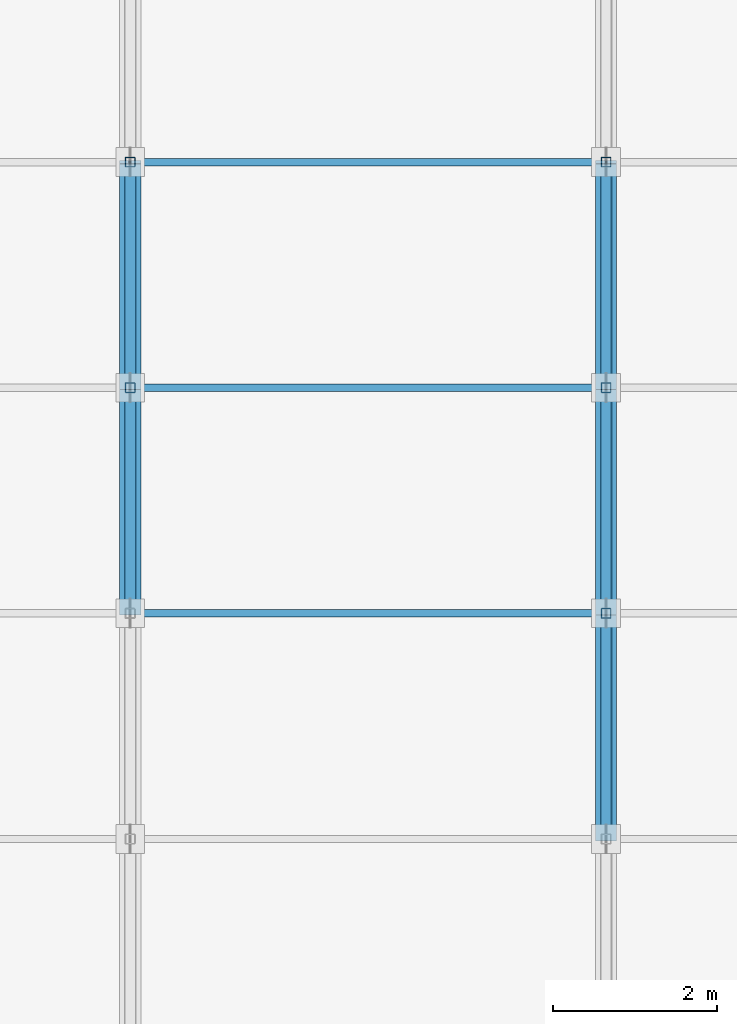
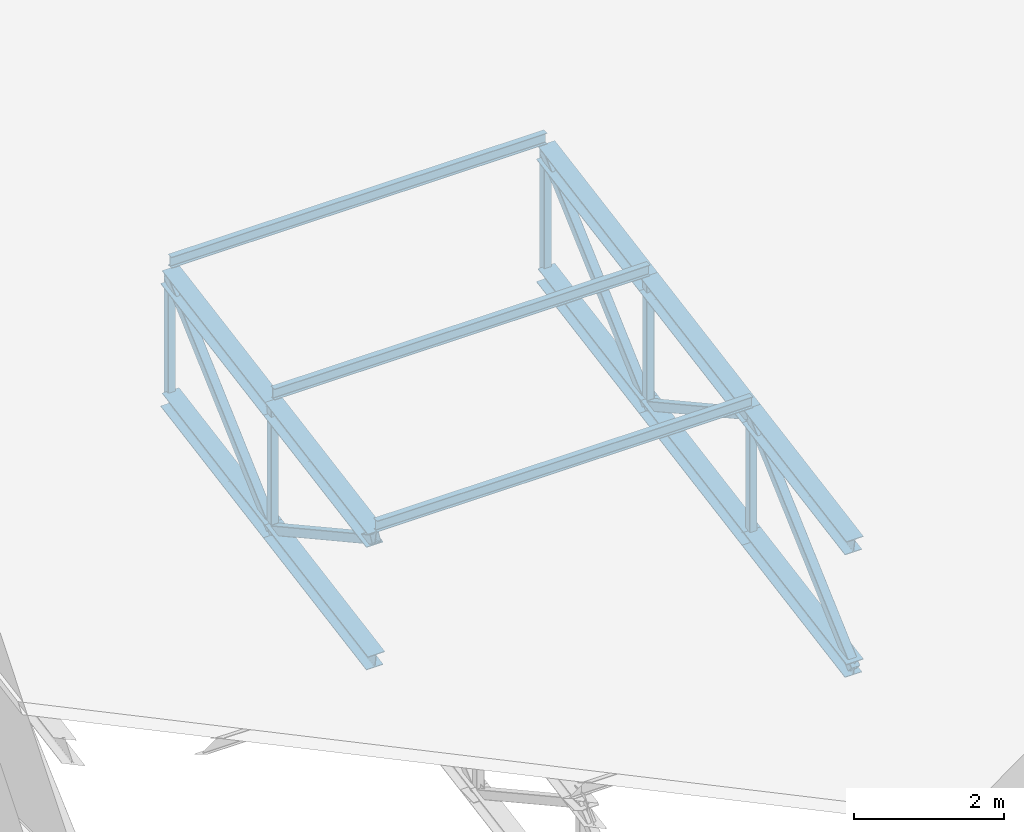
# One storey, part 16 of 132: 23 members.
"""IFC4 building model written with IfcOpenShell, lengths in metres."""

from ifc_helpers import new_model, si_unit, direction, frame, origin, origin_2d, place, context, subcontext, project, spatial, hollow_rectangle, i_section, extrude, material, material_profile, profile_set, type_object, element, save


model = new_model("IFC4")

# Units and contexts
model_context = context("Model", 3, precision=1e-05, world=origin(), true_north=direction((0.0, 1.0)))
body_context = subcontext(model_context, "Body", "Model", "MODEL_VIEW")
ifc_project = project(units=[si_unit("LENGTHUNIT", "METRE"), si_unit("AREAUNIT", "SQUARE_METRE"), si_unit("VOLUMEUNIT", "CUBIC_METRE"), si_unit("PLANEANGLEUNIT", "RADIAN"), si_unit("MASSUNIT", "GRAM", prefix="KILO")], contexts=[model_context])

# Site, building, storey
site_placement = place(None, origin())
site = spatial("IfcSite", under=ifc_project, at=site_placement, CompositionType="ELEMENT")
building_placement = place(site_placement, origin())
building = spatial("IfcBuilding", under=site, at=building_placement, Name="Lunette Opera House", CompositionType="ELEMENT")
storey_placement = place(building_placement, frame((0.0, 0.0, 17.0)))
storey = spatial("IfcBuildingStorey", under=building, at=storey_placement, Name="L03", CompositionType="ELEMENT", Elevation=17.0)

# Members
ifc_material_1 = material(Name="Steel S355", Category="steel")
ifc_material_profile_1 = material_profile(ifc_material_1, i_section(OverallWidth=0.260009765625, OverallDepth=0.25, WebThickness=0.007568359375, FlangeThickness=0.012451171875, FilletRadius=0.02392578125, at=origin_2d()), Name="HEA 260")
ifc_profile_set_1 = profile_set([ifc_material_profile_1], Name="Steel S355")
member_type_1 = type_object("IfcMemberType", Name="CHORD HEA 260", PredefinedType="CHORD", material=ifc_profile_set_1)
for number, where, z_axis, x_axis, name in (
    (1, (16.199951171875, 74.25, 1.75), (0.0, 0.984794998673, 0.173720495593), (-1.0, 0.0, 0.0), "mem-RW-L03-RW-TR02-TC4"),
    (2, (16.199951171875, 74.25, -0.25), (0.0, 0.984794998673, 0.173720495593), (-1.0, 0.0, 0.0), "mem-RW-L03-RW-TR02-BC4"),
):
    element("IfcMember", number, at=place(storey_placement, frame(where, z_axis=z_axis, x_axis=x_axis)), inside=storey, type_object=member_type_1, Name=name, PredefinedType="CHORD", context=body_context, shape_type="SweptSolid", body=[
        extrude(i_section(OverallWidth=0.260009765625, OverallDepth=0.25, WebThickness=0.007568359375, FlangeThickness=0.012451171875, FilletRadius=0.02392578125, at=origin_2d()), origin(), (0.0, 0.0, 1.0), 2.79248046875),
    ])
for number, where, z_axis, x_axis, name in (
    (3, (16.199951171875, 77.0, 2.235107421875), (0.0, 0.98486969904, 0.173296497115), (-1.0, 0.0, 0.0), "mem-RW-L03-RW-TR02-TC5"),
    (4, (16.199951171875, 77.0, 0.235107421875), (0.0, 0.98486969904, 0.173296497115), (-1.0, 0.0, 0.0), "mem-RW-L03-RW-TR02-BC5"),
):
    element("IfcMember", number, at=place(storey_placement, frame(where, z_axis=z_axis, x_axis=x_axis)), inside=storey, type_object=member_type_1, Name=name, PredefinedType="CHORD", context=body_context, shape_type="SweptSolid", body=[
        extrude(i_section(OverallWidth=0.260009765625, OverallDepth=0.25, WebThickness=0.007568359375, FlangeThickness=0.012451171875, FilletRadius=0.02392578125, at=origin_2d()), origin(), (0.0, 0.0, 1.0), 2.792236328125),
    ])
for number, where, z_axis, x_axis, name in (
    (5, (22.0, 71.5, 1.264892578125), (0.0, 0.984794998673, 0.173720495593), (-1.0, 0.0, 0.0), "mem-RW-L03-RW-TR03-TC3"),
    (6, (22.0, 71.5, -0.735107421875), (0.0, 0.984794998673, 0.173720495593), (-1.0, 0.0, 0.0), "mem-RW-L03-RW-TR03-BC3"),
    (7, (22.0, 74.25, 1.75), (0.0, 0.984794998673, 0.173720495593), (-1.0, 0.0, 0.0), "mem-RW-L03-RW-TR03-TC4"),
    (8, (22.0, 74.25, -0.25), (0.0, 0.984794998673, 0.173720495593), (-1.0, 0.0, 0.0), "mem-RW-L03-RW-TR03-BC4"),
):
    element("IfcMember", number, at=place(storey_placement, frame(where, z_axis=z_axis, x_axis=x_axis)), inside=storey, type_object=member_type_1, Name=name, PredefinedType="CHORD", context=body_context, shape_type="SweptSolid", body=[
        extrude(i_section(OverallWidth=0.260009765625, OverallDepth=0.25, WebThickness=0.007568359375, FlangeThickness=0.012451171875, FilletRadius=0.02392578125, at=origin_2d()), origin(), (0.0, 0.0, 1.0), 2.79248046875),
    ])
for number, where, z_axis, x_axis, name in (
    (9, (22.0, 77.0, 2.235107421875), (0.0, 0.98486969904, 0.173296497115), (-1.0, 0.0, 0.0), "mem-RW-L03-RW-TR03-TC5"),
    (10, (22.0, 77.0, 0.235107421875), (0.0, 0.98486969904, 0.173296497115), (-1.0, 0.0, 0.0), "mem-RW-L03-RW-TR03-BC5"),
):
    element("IfcMember", number, at=place(storey_placement, frame(where, z_axis=z_axis, x_axis=x_axis)), inside=storey, type_object=member_type_1, Name=name, PredefinedType="CHORD", context=body_context, shape_type="SweptSolid", body=[
        extrude(i_section(OverallWidth=0.260009765625, OverallDepth=0.25, WebThickness=0.007568359375, FlangeThickness=0.012451171875, FilletRadius=0.02392578125, at=origin_2d()), origin(), (0.0, 0.0, 1.0), 2.792236328125),
    ])
ifc_material_2 = material(Name="Steel S355", Category="steel")
ifc_material_profile_2 = material_profile(ifc_material_2, hollow_rectangle(XDim=0.139892578125, YDim=0.139892578125, WallThickness=0.006103515625, InnerFilletRadius=0.006103515625, OuterFilletRadius=0.011962890625, at=origin_2d()), Name="RHS 140X140X6")
ifc_profile_set_2 = profile_set([ifc_material_profile_2], Name="Steel S355")
member_type_2 = type_object("IfcMemberType", Name="DIAGONAL RHS 140X140X6", PredefinedType="BRACE", material=ifc_profile_set_2)
member_1_placement = place(storey_placement, frame((16.199951171875, 74.25, 1.75), z_axis=(0.0, 0.875893925299, -0.482503711513), x_axis=(-1.0, 0.0, 0.0)))
element("IfcMember", 11, at=member_1_placement, inside=storey, type_object=member_type_2, Name="mem-RW-L03-RW-TR02-TD4", PredefinedType="BRACE", context=body_context, shape_type="SweptSolid", body=[
    extrude(hollow_rectangle(XDim=0.139892578125, YDim=0.139892578125, WallThickness=0.006103515625, InnerFilletRadius=0.006103515625, OuterFilletRadius=0.011962890625, at=origin_2d()), origin(), (0.0, 0.0, 1.0), 3.1396484375),
])
member_2_placement = place(storey_placement, frame((16.199951171875, 77.0, 0.235107421875), z_axis=(0.0, 0.742100528467, 0.670288598776), x_axis=(-1.0, 0.0, 0.0)))
element("IfcMember", 12, at=member_2_placement, inside=storey, type_object=member_type_2, Name="mem-RW-L03-RW-TR02-TD5", PredefinedType="BRACE", context=body_context, shape_type="SweptSolid", body=[
    extrude(hollow_rectangle(XDim=0.139892578125, YDim=0.139892578125, WallThickness=0.006103515625, InnerFilletRadius=0.006103515625, OuterFilletRadius=0.011962890625, at=origin_2d()), origin(), (0.0, 0.0, 1.0), 3.705810546875),
])
member_3_placement = place(storey_placement, frame((22.0, 71.5, -0.735107421875), z_axis=(0.0, 0.741936685601, 0.670469950527), x_axis=(-1.0, 0.0, 0.0)))
element("IfcMember", 13, at=member_3_placement, inside=storey, type_object=member_type_2, Name="mem-RW-L03-RW-TR03-TD3", PredefinedType="BRACE", context=body_context, shape_type="SweptSolid", body=[
    extrude(hollow_rectangle(XDim=0.139892578125, YDim=0.139892578125, WallThickness=0.006103515625, InnerFilletRadius=0.006103515625, OuterFilletRadius=0.011962890625, at=origin_2d()), origin(), (0.0, 0.0, 1.0), 3.70654296875),
])
member_4_placement = place(storey_placement, frame((22.0, 74.25, 1.75), z_axis=(0.0, 0.875893925299, -0.482503711513), x_axis=(-1.0, 0.0, 0.0)))
element("IfcMember", 14, at=member_4_placement, inside=storey, type_object=member_type_2, Name="mem-RW-L03-RW-TR03-TD4", PredefinedType="BRACE", context=body_context, shape_type="SweptSolid", body=[
    extrude(hollow_rectangle(XDim=0.139892578125, YDim=0.139892578125, WallThickness=0.006103515625, InnerFilletRadius=0.006103515625, OuterFilletRadius=0.011962890625, at=origin_2d()), origin(), (0.0, 0.0, 1.0), 3.1396484375),
])
member_5_placement = place(storey_placement, frame((22.0, 77.0, 0.235107421875), z_axis=(0.0, 0.742100528467, 0.670288598776), x_axis=(-1.0, 0.0, 0.0)))
element("IfcMember", 15, at=member_5_placement, inside=storey, type_object=member_type_2, Name="mem-RW-L03-RW-TR03-TD5", PredefinedType="BRACE", context=body_context, shape_type="SweptSolid", body=[
    extrude(hollow_rectangle(XDim=0.139892578125, YDim=0.139892578125, WallThickness=0.006103515625, InnerFilletRadius=0.006103515625, OuterFilletRadius=0.011962890625, at=origin_2d()), origin(), (0.0, 0.0, 1.0), 3.705810546875),
])
ifc_material_3 = material(Name="Steel S355", Category="steel")
ifc_material_profile_3 = material_profile(ifc_material_3, i_section(OverallWidth=0.091064453125, OverallDepth=0.179931640625, WebThickness=0.00537109375, FlangeThickness=0.008056640625, FilletRadius=0.009033203125, at=origin_2d()), Name="IPE 180")
ifc_profile_set_3 = profile_set([ifc_material_profile_3], Name="Steel S355")
member_type_3 = type_object("IfcMemberType", Name="PURLIN IPE 180", PredefinedType="PURLIN", material=ifc_profile_set_3)
for number, where, z_axis, x_axis, name in (
    (16, (16.199951171875, 74.25, 1.965087890625), (1.0, 0.0, 0.0), (0.0, 1.0, 0.0), "mem-RW-L03-RW-PU4-2"),
    (17, (16.199951171875, 77.0, 2.449951171875), (1.0, 0.0, 0.0), (0.0, 1.0, 0.0), "mem-RW-L03-RW-PU5-2"),
    (18, (16.199951171875, 79.75, 2.93408203125), (1.0, 0.0, 0.0), (0.0, 1.0, 0.0), "mem-RW-L03-RW-PU6-2"),
):
    element("IfcMember", number, at=place(storey_placement, frame(where, z_axis=z_axis, x_axis=x_axis)), inside=storey, type_object=member_type_3, Name=name, PredefinedType="PURLIN", context=body_context, shape_type="SweptSolid", body=[
        extrude(i_section(OverallWidth=0.091064453125, OverallDepth=0.179931640625, WebThickness=0.00537109375, FlangeThickness=0.008056640625, FilletRadius=0.009033203125, at=origin_2d()), origin(), (0.0, 0.0, 1.0), 5.800048828125),
    ])
ifc_material_4 = material(Name="Steel S355", Category="steel")
ifc_material_profile_4 = material_profile(ifc_material_4, hollow_rectangle(XDim=0.1201171875, YDim=0.1201171875, WallThickness=0.0048828125, InnerFilletRadius=0.0048828125, OuterFilletRadius=0.010009765625, at=origin_2d()), Name="RHS 120X120X5")
ifc_profile_set_4 = profile_set([ifc_material_profile_4], Name="Steel S355")
member_type_4 = type_object("IfcMemberType", Name="VERTICAL RHS 120X120X5", PredefinedType="POST", material=ifc_profile_set_4)
for number, where, z_axis, x_axis, name in (
    (19, (16.199951171875, 77.0, 0.235107421875), (0.0, 0.0, 1.0), (1.0, 0.0, 0.0), "mem-RW-L03-RW-TR02-TV5"),
    (20, (16.199951171875, 79.75, 0.718994140625), (0.0, 0.0, 1.0), (1.0, 0.0, 0.0), "mem-RW-L03-RW-TR02-TV6"),
    (21, (22.0, 74.25, -0.25), (0.0, 0.0, 1.0), (1.0, 0.0, 0.0), "mem-RW-L03-RW-TR03-TV4"),
    (22, (22.0, 77.0, 0.235107421875), (0.0, 0.0, 1.0), (1.0, 0.0, 0.0), "mem-RW-L03-RW-TR03-TV5"),
    (23, (22.0, 79.75, 0.718994140625), (0.0, 0.0, 1.0), (1.0, 0.0, 0.0), "mem-RW-L03-RW-TR03-TV6"),
):
    element("IfcMember", number, at=place(storey_placement, frame(where, z_axis=z_axis, x_axis=x_axis)), inside=storey, type_object=member_type_4, Name=name, PredefinedType="POST", context=body_context, shape_type="SweptSolid", body=[
        extrude(hollow_rectangle(XDim=0.1201171875, YDim=0.1201171875, WallThickness=0.0048828125, InnerFilletRadius=0.0048828125, OuterFilletRadius=0.010009765625, at=origin_2d()), origin(), (0.0, 0.0, 1.0), 2.0),
    ])

save(model, "model.ifc")
